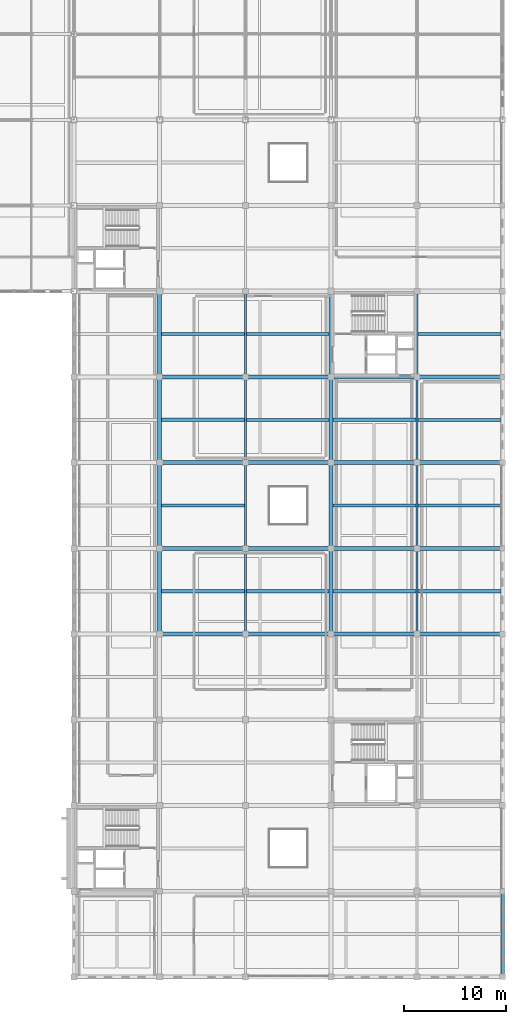
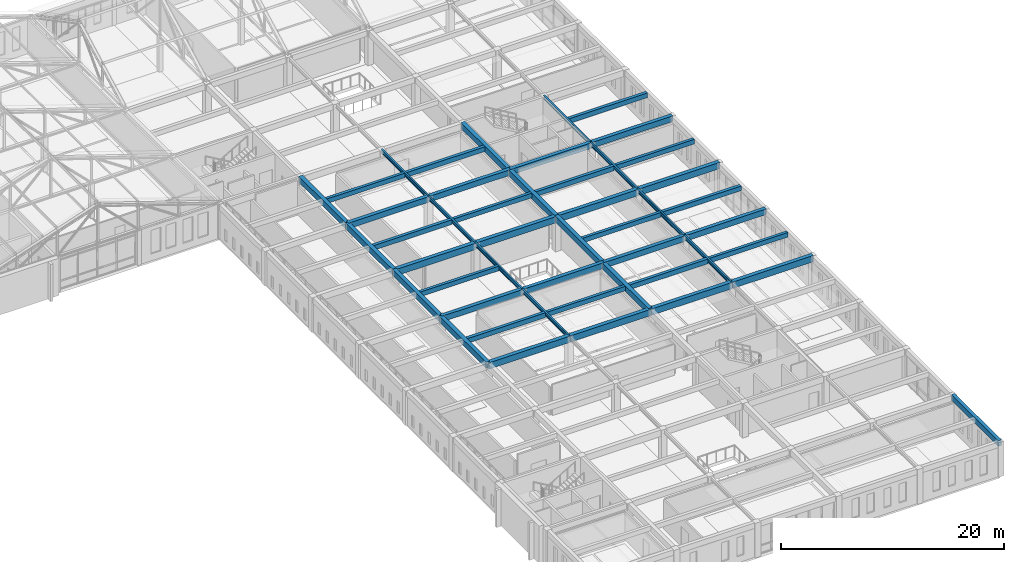
# One storey, part 7 of 56: 47 beams.
"""IFC4 building model written with IfcOpenShell, lengths in metres."""

import ifcopenshell
import ifcopenshell.guid

model = None  # the IFC model being written
_history = None  # IfcOwnerHistory: only IFC2X3 demands one
_inside = {}  # id of a spatial element -> (the spatial element, [elements in it])
_under = {}  # id of a project, library or spatial element -> (it, [spatial elements below it])
_declared = {}  # id of a project -> (the project, [libraries it declares])
_typed = {}  # id of a type object -> (the type object, [elements of that type])
_made_of = {}  # id of a material, layer set ... -> (it, [elements and type objects made of it])


def new_model(schema):
    """Start an empty IFC model of exactly this schema.

    Asked for "IFC4X3", IfcOpenShell would pick the latest addendum, in which some entities
    have other attributes; the version numbers below select the first issue.
    IFC2X3 requires an IfcOwnerHistory on every rooted entity: one is made here for all.
    """
    global model, _history
    if schema == "IFC4X3":
        model = ifcopenshell.file(schema_version=(4, 3, 0, 0))
    else:
        model = ifcopenshell.file(schema=schema)
    _inside.clear()
    _under.clear()
    _declared.clear()
    _typed.clear()
    _made_of.clear()
    _history = None
    if model.schema == "IFC2X3":
        org = make("IfcOrganization", Name="unknown")
        user = make(
            "IfcPersonAndOrganization",
            ThePerson=make("IfcPerson", FamilyName="unknown"),
            TheOrganization=org,
        )
        app = make(
            "IfcApplication",
            ApplicationDeveloper=org,
            Version="unknown",
            ApplicationFullName="unknown",
            ApplicationIdentifier="unknown",
        )
        _history = make(
            "IfcOwnerHistory",
            OwningUser=user,
            OwningApplication=app,
            ChangeAction="ADDED",
            CreationDate=0,
        )
    return model


def make(cls, **values):
    """One entity of the class cls with the attributes given. An attribute that is None is left unset."""
    return model.create_entity(
        cls, **{name: value for name, value in values.items() if value is not None}
    )


def rooted(cls, **values):
    """An entity with a GlobalId (a new one), such as an element, a storey or a relation."""
    return make(cls, GlobalId=ifcopenshell.guid.new(), OwnerHistory=_history, **values)


def si_unit(unit_type, name, prefix=None):
    """IfcSIUnit, for example si_unit("LENGTHUNIT", "METRE", prefix="MILLI")."""
    return make("IfcSIUnit", UnitType=unit_type, Prefix=prefix, Name=name)


def assignment(units):
    """IfcUnitAssignment: the units of a project."""
    return None if units is None else make("IfcUnitAssignment", Units=units)


def point(xyz):
    """IfcCartesianPoint."""
    return None if xyz is None else make("IfcCartesianPoint", Coordinates=xyz)


def direction(xyz):
    """IfcDirection."""
    return None if xyz is None else make("IfcDirection", DirectionRatios=xyz)


def frame(location, z_axis=None, x_axis=None):
    """IfcAxis2Placement3D, a coordinate frame: its origin and axes. An axis left out is left unset."""
    return make(
        "IfcAxis2Placement3D",
        Location=point(location),
        Axis=direction(z_axis),
        RefDirection=direction(x_axis),
    )


def frame_2d(location, x_axis=None):
    """IfcAxis2Placement2D, a coordinate frame in the plane: its origin and x axis."""
    return make(
        "IfcAxis2Placement2D", Location=point(location), RefDirection=direction(x_axis)
    )


def origin():
    """The frame at (0, 0, 0) with its axes left unset."""
    return frame((0.0, 0.0, 0.0))


def origin_2d():
    """The frame at (0, 0) in the plane with its x axis left unset."""
    return frame_2d((0.0, 0.0))


def place(relative_to, where):
    """IfcLocalPlacement: puts the frame where relative to a parent placement (None: the world)."""
    return make(
        "IfcLocalPlacement", PlacementRelTo=relative_to, RelativePlacement=where
    )


def context(
    kind, dimensions, precision=None, world=None, true_north=None, identifier=None
):
    """IfcGeometricRepresentationContext, for example the 3D "Model" context."""
    return make(
        "IfcGeometricRepresentationContext",
        ContextIdentifier=identifier,
        ContextType=kind,
        CoordinateSpaceDimension=dimensions,
        Precision=precision,
        WorldCoordinateSystem=world,
        TrueNorth=true_north,
    )


def subcontext(parent, identifier, kind, view, scale=None):
    """IfcGeometricRepresentationSubContext, for example "Body" below "Model"."""
    return make(
        "IfcGeometricRepresentationSubContext",
        ContextIdentifier=identifier,
        ContextType=kind,
        ParentContext=parent,
        TargetScale=scale,
        TargetView=view,
    )


def project(units=None, contexts=None):
    """IfcProject with its units and contexts."""
    return rooted(
        "IfcProject",
        Name="project",
        RepresentationContexts=contexts,
        UnitsInContext=assignment(units),
    )


def spatial(cls, under=None, at=None, **own):
    """A site, building, storey or space (cls), placed at a placement, below another one or the project."""
    s = rooted(cls, ObjectPlacement=at, **own)
    if under is not None:
        _under.setdefault(under.id(), (under, []))[1].append(s)
    return s


def profile(cls, at=None, kind="AREA", **sizes):
    """A parametric profile (cls). Its sizes go by their IFC names, for example OverallWidth=200.0."""
    return make(cls, ProfileType=kind, Position=at, **sizes)


def rectangle(**sizes):
    """IfcRectangleProfileDef."""
    return profile("IfcRectangleProfileDef", **sizes)


def i_section(**sizes):
    """IfcIShapeProfileDef."""
    return profile("IfcIShapeProfileDef", **sizes)


def extrude(swept, where, along, depth):
    """IfcExtrudedAreaSolid: the profile swept, set in the frame where, extruded along a direction by depth."""
    return make(
        "IfcExtrudedAreaSolid",
        SweptArea=swept,
        Position=where,
        ExtrudedDirection=direction(along),
        Depth=depth,
    )


def shape(context_of_items, identifier, shape_type, items):
    """IfcShapeRepresentation: the items that make up one representation, for example the "Body"."""
    return make(
        "IfcShapeRepresentation",
        ContextOfItems=context_of_items,
        RepresentationIdentifier=identifier,
        RepresentationType=shape_type,
        Items=items,
    )


def material(Name=None, Category=None):
    """IfcMaterial."""
    return make("IfcMaterial", Name=Name, Category=Category)


def material_profile(
    of_material, cross_section, Name=None, Category=None, Priority=None
):
    """IfcMaterialProfile: a cross section and its material."""
    return make(
        "IfcMaterialProfile",
        Name=Name,
        Material=of_material,
        Profile=cross_section,
        Priority=Priority,
        Category=Category,
    )


def profile_set(profiles, Name=None, composite=None):
    """IfcMaterialProfileSet."""
    return make(
        "IfcMaterialProfileSet",
        Name=Name,
        MaterialProfiles=profiles,
        CompositeProfile=composite,
    )


def made_of(thing, what):
    """Note that an element or type object is made of a material, layer set ...; save() writes the relation."""
    if what is not None:
        _made_of.setdefault(what.id(), (what, []))[1].append(thing)
    return thing


def type_object(cls, material=None, **own):
    """A type object (cls), such as IfcWallType, which elements share."""
    return made_of(rooted(cls, **own), material)


def element(
    cls,
    number,
    at=None,
    inside=None,
    cuts=None,
    type_object=None,
    material=None,
    context=None,
    identifier="Body",
    shape_type=None,
    held_by="IfcProductDefinitionShape",
    body=None,
    shapes=None,
    **own,
):
    """One element of the class cls, such as IfcWall. Its Tag is "e" and its number.

    at: its placement. inside: the storey or other place that contains it. cuts: it is an
    opening in that element (IfcRelVoidsElement). A single representation is given by context,
    identifier, shape_type and body (its items); several are given by shapes. held_by: the class
    of the entity that holds the representations. save() writes the other relations.
    """
    e = rooted(cls, Tag="e%d" % number, ObjectPlacement=at, **own)
    if body is not None:
        shapes = [shape(context, identifier, shape_type, body)]
    if shapes is not None:
        e.Representation = make(held_by, Representations=shapes)
    if inside is not None:
        _inside.setdefault(inside.id(), (inside, []))[1].append(e)
    if cuts is not None:
        rooted(
            "IfcRelVoidsElement", RelatingBuildingElement=cuts, RelatedOpeningElement=e
        )
    if type_object is not None:
        _typed.setdefault(type_object.id(), (type_object, []))[1].append(e)
    return made_of(e, material)


def aggregate(whole, parts):
    """IfcRelAggregates: a whole, such as a stair, and the parts it consists of."""
    return rooted("IfcRelAggregates", RelatingObject=whole, RelatedObjects=parts)


def save(model, path):
    """Write the relations noted so far, then the file.

    IfcRelAggregates (storeys below a building ...), IfcRelContainedInSpatialStructure (elements
    in a storey), IfcRelDefinesByType, IfcRelAssociatesMaterial and IfcRelDeclares: one each for
    every whole, place, type object, material and project.
    """
    for whole, parts in _under.values():
        aggregate(whole, parts)
    for where, things in _inside.values():
        rooted(
            "IfcRelContainedInSpatialStructure",
            RelatedElements=things,
            RelatingStructure=where,
        )
    for kind, things in _typed.values():
        rooted("IfcRelDefinesByType", RelatedObjects=things, RelatingType=kind)
    for what, things in _made_of.values():
        rooted("IfcRelAssociatesMaterial", RelatedObjects=things, RelatingMaterial=what)
    for by, libraries in _declared.values():
        rooted("IfcRelDeclares", RelatingContext=by, RelatedDefinitions=libraries)
    model.write(path)


model = new_model("IFC4")

# Units and contexts
model_context = context("Model", 3, precision=1e-05, world=origin(), true_north=direction((0.0, 1.0)))
body_context = subcontext(model_context, "Body", "Model", "MODEL_VIEW")
ifc_project = project(units=[si_unit("LENGTHUNIT", "METRE"), si_unit("AREAUNIT", "SQUARE_METRE"), si_unit("VOLUMEUNIT", "CUBIC_METRE"), si_unit("PLANEANGLEUNIT", "RADIAN"), si_unit("MASSUNIT", "GRAM", prefix="KILO")], contexts=[model_context])

# Site, building, storey
site_placement = place(None, origin())
site = spatial("IfcSite", under=ifc_project, at=site_placement, CompositionType="ELEMENT")
building_placement = place(site_placement, origin())
building = spatial("IfcBuilding", under=site, at=building_placement, Name="Kveldsbrygga Polytechnic", CompositionType="ELEMENT")
storey_placement = place(building_placement, frame((0.0, 0.0, 18.02001953125)))
storey = spatial("IfcBuildingStorey", under=building, at=storey_placement, Name="L04", CompositionType="ELEMENT", Elevation=18.02001953125)

# Beams
ifc_material_1 = material(Name="Concrete C35/45", Category="concrete")
ifc_material_profile_1 = material_profile(ifc_material_1, rectangle(XDim=0.3798828125, YDim=0.6201171875, at=origin_2d()), Name="RC 380x620")
ifc_profile_set_1 = profile_set([ifc_material_profile_1], Name="Concrete C35/45")
beam_type_1 = type_object("IfcBeamType", Name="BM-RC-380x620", PredefinedType="BEAM", material=ifc_profile_set_1)
beam_1_placement = place(storey_placement, frame((134.39990234375, 58.800048828125, 3.469970703125), z_axis=(1.0, 0.0, 0.0), x_axis=(0.0, 1.0, 0.0)))
element("IfcBeam", 1, at=beam_1_placement, inside=storey, type_object=beam_type_1, Name="Primary Beam BMX-L04-16to17-07", PredefinedType="BEAM", context=body_context, shape_type="SweptSolid", body=[
    extrude(rectangle(XDim=0.3798828125, YDim=0.6201171875, at=origin_2d()), origin(), (0.0, 0.0, 1.0), 8.400146484375),
])
beam_2_placement = place(storey_placement, frame((142.800048828125, 58.800048828125, 3.469970703125), z_axis=(1.0, 0.0, 0.0), x_axis=(0.0, 1.0, 0.0)))
element("IfcBeam", 2, at=beam_2_placement, inside=storey, type_object=beam_type_1, Name="Primary Beam BMX-L04-17to18-07", PredefinedType="BEAM", context=body_context, shape_type="SweptSolid", body=[
    extrude(rectangle(XDim=0.3798828125, YDim=0.6201171875, at=origin_2d()), origin(), (0.0, 0.0, 1.0), 8.39990234375),
])
beam_3_placement = place(storey_placement, frame((151.199951171875, 58.800048828125, 3.469970703125), z_axis=(1.0, 0.0, 0.0), x_axis=(0.0, 1.0, 0.0)))
element("IfcBeam", 3, at=beam_3_placement, inside=storey, type_object=beam_type_1, Name="Primary Beam BMX-L04-18to19-07", PredefinedType="BEAM", context=body_context, shape_type="SweptSolid", body=[
    extrude(rectangle(XDim=0.3798828125, YDim=0.6201171875, at=origin_2d()), origin(), (0.0, 0.0, 1.0), 8.400146484375),
])
beam_4_placement = place(storey_placement, frame((159.60009765625, 58.800048828125, 3.469970703125), z_axis=(1.0, 0.0, 0.0), x_axis=(0.0, 1.0, 0.0)))
element("IfcBeam", 4, at=beam_4_placement, inside=storey, type_object=beam_type_1, Name="Primary Beam BMX-L04-19to20-07", PredefinedType="BEAM", context=body_context, shape_type="SweptSolid", body=[
    extrude(rectangle(XDim=0.3798828125, YDim=0.6201171875, at=origin_2d()), origin(), (0.0, 0.0, 1.0), 8.39990234375),
])
beam_5_placement = place(storey_placement, frame((134.39990234375, 75.60009765625, 3.469970703125), z_axis=(1.0, 0.0, 0.0), x_axis=(0.0, 1.0, 0.0)))
element("IfcBeam", 5, at=beam_5_placement, inside=storey, type_object=beam_type_1, Name="Primary Beam BMX-L04-16to17-09", PredefinedType="BEAM", context=body_context, shape_type="SweptSolid", body=[
    extrude(rectangle(XDim=0.3798828125, YDim=0.6201171875, at=origin_2d()), origin(), (0.0, 0.0, 1.0), 8.400146484375),
])
beam_6_placement = place(storey_placement, frame((142.800048828125, 75.60009765625, 3.469970703125), z_axis=(1.0, 0.0, 0.0), x_axis=(0.0, 1.0, 0.0)))
element("IfcBeam", 6, at=beam_6_placement, inside=storey, type_object=beam_type_1, Name="Primary Beam BMX-L04-17to18-09", PredefinedType="BEAM", context=body_context, shape_type="SweptSolid", body=[
    extrude(rectangle(XDim=0.3798828125, YDim=0.6201171875, at=origin_2d()), origin(), (0.0, 0.0, 1.0), 8.39990234375),
])
beam_7_placement = place(storey_placement, frame((151.199951171875, 75.60009765625, 3.469970703125), z_axis=(1.0, 0.0, 0.0), x_axis=(0.0, 1.0, 0.0)))
element("IfcBeam", 7, at=beam_7_placement, inside=storey, type_object=beam_type_1, Name="Primary Beam BMX-L04-18to19-09", PredefinedType="BEAM", context=body_context, shape_type="SweptSolid", body=[
    extrude(rectangle(XDim=0.3798828125, YDim=0.6201171875, at=origin_2d()), origin(), (0.0, 0.0, 1.0), 8.400146484375),
])
beam_8_placement = place(storey_placement, frame((159.60009765625, 75.60009765625, 3.469970703125), z_axis=(1.0, 0.0, 0.0), x_axis=(0.0, 1.0, 0.0)))
element("IfcBeam", 8, at=beam_8_placement, inside=storey, type_object=beam_type_1, Name="Primary Beam BMX-L04-19to20-09", PredefinedType="BEAM", context=body_context, shape_type="SweptSolid", body=[
    extrude(rectangle(XDim=0.3798828125, YDim=0.6201171875, at=origin_2d()), origin(), (0.0, 0.0, 1.0), 8.39990234375),
])
ifc_material_profile_2 = material_profile(ifc_material_1, rectangle(XDim=0.39990234375, YDim=0.64990234375, at=origin_2d()), Name="RC 400x650")
ifc_profile_set_2 = profile_set([ifc_material_profile_2], Name="Concrete C35/45")
beam_type_2 = type_object("IfcBeamType", Name="BM-RC-400x650", PredefinedType="BEAM", material=ifc_profile_set_2)
beam_9_placement = place(storey_placement, frame((134.39990234375, 50.39990234375, 3.455078125), z_axis=(0.0, 1.0, 0.0), x_axis=(-1.0, 0.0, 0.0)))
element("IfcBeam", 9, at=beam_9_placement, inside=storey, type_object=beam_type_2, Name="Primary Beam BMY-L04-16-06to07", PredefinedType="BEAM", context=body_context, shape_type="SweptSolid", body=[
    extrude(rectangle(XDim=0.39990234375, YDim=0.64990234375, at=origin_2d()), origin(), (0.0, 0.0, 1.0), 8.400146484375),
])
beam_10_placement = place(storey_placement, frame((134.39990234375, 58.800048828125, 3.455078125), z_axis=(0.0, 1.0, 0.0), x_axis=(-1.0, 0.0, 0.0)))
element("IfcBeam", 10, at=beam_10_placement, inside=storey, type_object=beam_type_2, Name="Primary Beam BMY-L04-16-07to08", PredefinedType="BEAM", context=body_context, shape_type="SweptSolid", body=[
    extrude(rectangle(XDim=0.39990234375, YDim=0.64990234375, at=origin_2d()), origin(), (0.0, 0.0, 1.0), 8.39990234375),
])
beam_11_placement = place(storey_placement, frame((134.39990234375, 67.199951171875, 3.455078125), z_axis=(0.0, 1.0, 0.0), x_axis=(-1.0, 0.0, 0.0)))
element("IfcBeam", 11, at=beam_11_placement, inside=storey, type_object=beam_type_2, Name="Primary Beam BMY-L04-16-08to09", PredefinedType="BEAM", context=body_context, shape_type="SweptSolid", body=[
    extrude(rectangle(XDim=0.39990234375, YDim=0.64990234375, at=origin_2d()), origin(), (0.0, 0.0, 1.0), 8.400146484375),
])
beam_12_placement = place(storey_placement, frame((134.39990234375, 75.60009765625, 3.455078125), z_axis=(0.0, 1.0, 0.0), x_axis=(-1.0, 0.0, 0.0)))
element("IfcBeam", 12, at=beam_12_placement, inside=storey, type_object=beam_type_2, Name="Primary Beam BMY-L04-16-09to10", PredefinedType="BEAM", context=body_context, shape_type="SweptSolid", body=[
    extrude(rectangle(XDim=0.39990234375, YDim=0.64990234375, at=origin_2d()), origin(), (0.0, 0.0, 1.0), 8.39990234375),
])
beam_13_placement = place(storey_placement, frame((151.199951171875, 50.39990234375, 3.455078125), z_axis=(0.0, 1.0, 0.0), x_axis=(-1.0, 0.0, 0.0)))
element("IfcBeam", 13, at=beam_13_placement, inside=storey, type_object=beam_type_2, Name="Primary Beam BMY-L04-18-06to07", PredefinedType="BEAM", context=body_context, shape_type="SweptSolid", body=[
    extrude(rectangle(XDim=0.39990234375, YDim=0.64990234375, at=origin_2d()), origin(), (0.0, 0.0, 1.0), 8.400146484375),
])
beam_14_placement = place(storey_placement, frame((151.199951171875, 58.800048828125, 3.455078125), z_axis=(0.0, 1.0, 0.0), x_axis=(-1.0, 0.0, 0.0)))
element("IfcBeam", 14, at=beam_14_placement, inside=storey, type_object=beam_type_2, Name="Primary Beam BMY-L04-18-07to08", PredefinedType="BEAM", context=body_context, shape_type="SweptSolid", body=[
    extrude(rectangle(XDim=0.39990234375, YDim=0.64990234375, at=origin_2d()), origin(), (0.0, 0.0, 1.0), 8.39990234375),
])
beam_15_placement = place(storey_placement, frame((151.199951171875, 67.199951171875, 3.455078125), z_axis=(0.0, 1.0, 0.0), x_axis=(-1.0, 0.0, 0.0)))
element("IfcBeam", 15, at=beam_15_placement, inside=storey, type_object=beam_type_2, Name="Primary Beam BMY-L04-18-08to09", PredefinedType="BEAM", context=body_context, shape_type="SweptSolid", body=[
    extrude(rectangle(XDim=0.39990234375, YDim=0.64990234375, at=origin_2d()), origin(), (0.0, 0.0, 1.0), 8.400146484375),
])
beam_16_placement = place(storey_placement, frame((151.199951171875, 75.60009765625, 3.455078125), z_axis=(0.0, 1.0, 0.0), x_axis=(-1.0, 0.0, 0.0)))
element("IfcBeam", 16, at=beam_16_placement, inside=storey, type_object=beam_type_2, Name="Primary Beam BMY-L04-18-09to10", PredefinedType="BEAM", context=body_context, shape_type="SweptSolid", body=[
    extrude(rectangle(XDim=0.39990234375, YDim=0.64990234375, at=origin_2d()), origin(), (0.0, 0.0, 1.0), 8.39990234375),
])
ifc_material_profile_3 = material_profile(ifc_material_1, rectangle(XDim=0.39990234375, YDim=0.699951171875, at=origin_2d()), Name="RC 400x700")
ifc_profile_set_3 = profile_set([ifc_material_profile_3], Name="Concrete C35/45")
beam_type_3 = type_object("IfcBeamType", Name="BM-RC-400x700", PredefinedType="BEAM", material=ifc_profile_set_3)
beam_17_placement = place(storey_placement, frame((134.39990234375, 50.39990234375, 3.429931640625), z_axis=(1.0, 0.0, 0.0), x_axis=(0.0, 1.0, 0.0)))
element("IfcBeam", 17, at=beam_17_placement, inside=storey, type_object=beam_type_3, Name="Primary Beam BMX-L04-16to17-06", PredefinedType="BEAM", context=body_context, shape_type="SweptSolid", body=[
    extrude(rectangle(XDim=0.39990234375, YDim=0.699951171875, at=origin_2d()), origin(), (0.0, 0.0, 1.0), 8.400146484375),
])
beam_18_placement = place(storey_placement, frame((142.800048828125, 50.39990234375, 3.429931640625), z_axis=(1.0, 0.0, 0.0), x_axis=(0.0, 1.0, 0.0)))
element("IfcBeam", 18, at=beam_18_placement, inside=storey, type_object=beam_type_3, Name="Primary Beam BMX-L04-17to18-06", PredefinedType="BEAM", context=body_context, shape_type="SweptSolid", body=[
    extrude(rectangle(XDim=0.39990234375, YDim=0.699951171875, at=origin_2d()), origin(), (0.0, 0.0, 1.0), 8.39990234375),
])
beam_19_placement = place(storey_placement, frame((151.199951171875, 50.39990234375, 3.429931640625), z_axis=(1.0, 0.0, 0.0), x_axis=(0.0, 1.0, 0.0)))
element("IfcBeam", 19, at=beam_19_placement, inside=storey, type_object=beam_type_3, Name="Primary Beam BMX-L04-18to19-06", PredefinedType="BEAM", context=body_context, shape_type="SweptSolid", body=[
    extrude(rectangle(XDim=0.39990234375, YDim=0.699951171875, at=origin_2d()), origin(), (0.0, 0.0, 1.0), 8.400146484375),
])
beam_20_placement = place(storey_placement, frame((159.60009765625, 50.39990234375, 3.429931640625), z_axis=(1.0, 0.0, 0.0), x_axis=(0.0, 1.0, 0.0)))
element("IfcBeam", 20, at=beam_20_placement, inside=storey, type_object=beam_type_3, Name="Primary Beam BMX-L04-19to20-06", PredefinedType="BEAM", context=body_context, shape_type="SweptSolid", body=[
    extrude(rectangle(XDim=0.39990234375, YDim=0.699951171875, at=origin_2d()), origin(), (0.0, 0.0, 1.0), 8.39990234375),
])
beam_21_placement = place(storey_placement, frame((134.39990234375, 67.199951171875, 3.429931640625), z_axis=(1.0, 0.0, 0.0), x_axis=(0.0, 1.0, 0.0)))
element("IfcBeam", 21, at=beam_21_placement, inside=storey, type_object=beam_type_3, Name="Primary Beam BMX-L04-16to17-08", PredefinedType="BEAM", context=body_context, shape_type="SweptSolid", body=[
    extrude(rectangle(XDim=0.39990234375, YDim=0.699951171875, at=origin_2d()), origin(), (0.0, 0.0, 1.0), 8.400146484375),
])
beam_22_placement = place(storey_placement, frame((142.800048828125, 67.199951171875, 3.429931640625), z_axis=(1.0, 0.0, 0.0), x_axis=(0.0, 1.0, 0.0)))
element("IfcBeam", 22, at=beam_22_placement, inside=storey, type_object=beam_type_3, Name="Primary Beam BMX-L04-17to18-08", PredefinedType="BEAM", context=body_context, shape_type="SweptSolid", body=[
    extrude(rectangle(XDim=0.39990234375, YDim=0.699951171875, at=origin_2d()), origin(), (0.0, 0.0, 1.0), 8.39990234375),
])
beam_23_placement = place(storey_placement, frame((151.199951171875, 67.199951171875, 3.429931640625), z_axis=(1.0, 0.0, 0.0), x_axis=(0.0, 1.0, 0.0)))
element("IfcBeam", 23, at=beam_23_placement, inside=storey, type_object=beam_type_3, Name="Primary Beam BMX-L04-18to19-08", PredefinedType="BEAM", context=body_context, shape_type="SweptSolid", body=[
    extrude(rectangle(XDim=0.39990234375, YDim=0.699951171875, at=origin_2d()), origin(), (0.0, 0.0, 1.0), 8.400146484375),
])
beam_24_placement = place(storey_placement, frame((159.60009765625, 67.199951171875, 3.429931640625), z_axis=(1.0, 0.0, 0.0), x_axis=(0.0, 1.0, 0.0)))
element("IfcBeam", 24, at=beam_24_placement, inside=storey, type_object=beam_type_3, Name="Primary Beam BMX-L04-19to20-08", PredefinedType="BEAM", context=body_context, shape_type="SweptSolid", body=[
    extrude(rectangle(XDim=0.39990234375, YDim=0.699951171875, at=origin_2d()), origin(), (0.0, 0.0, 1.0), 8.39990234375),
])
ifc_material_profile_4 = material_profile(ifc_material_1, rectangle(XDim=0.35009765625, YDim=0.60009765625, at=origin_2d()), Name="RC 350x600")
ifc_profile_set_4 = profile_set([ifc_material_profile_4], Name="Concrete C35/45")
beam_type_4 = type_object("IfcBeamType", Name="BM-SPANDREL-600", PredefinedType="T_BEAM", material=ifc_profile_set_4)
beam_25_placement = place(storey_placement, frame((168.0, 16.800048828125, 3.47998046875), z_axis=(0.0, 1.0, 0.0), x_axis=(-1.0, 0.0, 0.0)))
element("IfcBeam", 25, at=beam_25_placement, inside=storey, type_object=beam_type_4, Name="Primary Beam BMY-L04-20-02to03", PredefinedType="T_BEAM", context=body_context, shape_type="SweptSolid", body=[
    extrude(rectangle(XDim=0.35009765625, YDim=0.60009765625, at=origin_2d()), origin(), (0.0, 0.0, 1.0), 8.39990234375),
])
ifc_material_2 = material(Name="Steel S355", Category="steel")
ifc_material_profile_5 = material_profile(ifc_material_2, i_section(OverallWidth=0.179931640625, OverallDepth=0.39990234375, WebThickness=0.008544921875, FlangeThickness=0.013427734375, FilletRadius=0.02099609375, at=origin_2d()), Name="IPE 400")
ifc_profile_set_5 = profile_set([ifc_material_profile_5], Name="Steel S355")
beam_type_5 = type_object("IfcBeamType", Name="BM-STL-IPE400", PredefinedType="BEAM", material=ifc_profile_set_5)
beam_26_placement = place(storey_placement, frame((142.800048828125, 50.39990234375, 3.580078125), z_axis=(0.0, 1.0, 0.0), x_axis=(-1.0, 0.0, 0.0)))
element("IfcBeam", 26, at=beam_26_placement, inside=storey, type_object=beam_type_5, Name="Primary Beam BMY-L04-17-06to07", PredefinedType="BEAM", context=body_context, shape_type="SweptSolid", body=[
    extrude(i_section(OverallWidth=0.179931640625, OverallDepth=0.39990234375, WebThickness=0.008544921875, FlangeThickness=0.013427734375, FilletRadius=0.02099609375, at=origin_2d()), origin(), (0.0, 0.0, 1.0), 8.400146484375),
])
beam_27_placement = place(storey_placement, frame((142.800048828125, 58.800048828125, 3.580078125), z_axis=(0.0, 1.0, 0.0), x_axis=(-1.0, 0.0, 0.0)))
element("IfcBeam", 27, at=beam_27_placement, inside=storey, type_object=beam_type_5, Name="Primary Beam BMY-L04-17-07to08", PredefinedType="BEAM", context=body_context, shape_type="SweptSolid", body=[
    extrude(i_section(OverallWidth=0.179931640625, OverallDepth=0.39990234375, WebThickness=0.008544921875, FlangeThickness=0.013427734375, FilletRadius=0.02099609375, at=origin_2d()), origin(), (0.0, 0.0, 1.0), 8.39990234375),
])
beam_28_placement = place(storey_placement, frame((142.800048828125, 67.199951171875, 3.580078125), z_axis=(0.0, 1.0, 0.0), x_axis=(-1.0, 0.0, 0.0)))
element("IfcBeam", 28, at=beam_28_placement, inside=storey, type_object=beam_type_5, Name="Primary Beam BMY-L04-17-08to09", PredefinedType="BEAM", context=body_context, shape_type="SweptSolid", body=[
    extrude(i_section(OverallWidth=0.179931640625, OverallDepth=0.39990234375, WebThickness=0.008544921875, FlangeThickness=0.013427734375, FilletRadius=0.02099609375, at=origin_2d()), origin(), (0.0, 0.0, 1.0), 8.400146484375),
])
beam_29_placement = place(storey_placement, frame((142.800048828125, 75.60009765625, 3.580078125), z_axis=(0.0, 1.0, 0.0), x_axis=(-1.0, 0.0, 0.0)))
element("IfcBeam", 29, at=beam_29_placement, inside=storey, type_object=beam_type_5, Name="Primary Beam BMY-L04-17-09to10", PredefinedType="BEAM", context=body_context, shape_type="SweptSolid", body=[
    extrude(i_section(OverallWidth=0.179931640625, OverallDepth=0.39990234375, WebThickness=0.008544921875, FlangeThickness=0.013427734375, FilletRadius=0.02099609375, at=origin_2d()), origin(), (0.0, 0.0, 1.0), 8.39990234375),
])
beam_30_placement = place(storey_placement, frame((159.60009765625, 50.39990234375, 3.580078125), z_axis=(0.0, 1.0, 0.0), x_axis=(-1.0, 0.0, 0.0)))
element("IfcBeam", 30, at=beam_30_placement, inside=storey, type_object=beam_type_5, Name="Primary Beam BMY-L04-19-06to07", PredefinedType="BEAM", context=body_context, shape_type="SweptSolid", body=[
    extrude(i_section(OverallWidth=0.179931640625, OverallDepth=0.39990234375, WebThickness=0.008544921875, FlangeThickness=0.013427734375, FilletRadius=0.02099609375, at=origin_2d()), origin(), (0.0, 0.0, 1.0), 8.400146484375),
])
beam_31_placement = place(storey_placement, frame((159.60009765625, 58.800048828125, 3.580078125), z_axis=(0.0, 1.0, 0.0), x_axis=(-1.0, 0.0, 0.0)))
element("IfcBeam", 31, at=beam_31_placement, inside=storey, type_object=beam_type_5, Name="Primary Beam BMY-L04-19-07to08", PredefinedType="BEAM", context=body_context, shape_type="SweptSolid", body=[
    extrude(i_section(OverallWidth=0.179931640625, OverallDepth=0.39990234375, WebThickness=0.008544921875, FlangeThickness=0.013427734375, FilletRadius=0.02099609375, at=origin_2d()), origin(), (0.0, 0.0, 1.0), 8.39990234375),
])
beam_32_placement = place(storey_placement, frame((159.60009765625, 67.199951171875, 3.580078125), z_axis=(0.0, 1.0, 0.0), x_axis=(-1.0, 0.0, 0.0)))
element("IfcBeam", 32, at=beam_32_placement, inside=storey, type_object=beam_type_5, Name="Primary Beam BMY-L04-19-08to09", PredefinedType="BEAM", context=body_context, shape_type="SweptSolid", body=[
    extrude(i_section(OverallWidth=0.179931640625, OverallDepth=0.39990234375, WebThickness=0.008544921875, FlangeThickness=0.013427734375, FilletRadius=0.02099609375, at=origin_2d()), origin(), (0.0, 0.0, 1.0), 8.400146484375),
])
beam_33_placement = place(storey_placement, frame((159.60009765625, 75.60009765625, 3.580078125), z_axis=(0.0, 1.0, 0.0), x_axis=(-1.0, 0.0, 0.0)))
element("IfcBeam", 33, at=beam_33_placement, inside=storey, type_object=beam_type_5, Name="Primary Beam BMY-L04-19-09to10", PredefinedType="BEAM", context=body_context, shape_type="SweptSolid", body=[
    extrude(i_section(OverallWidth=0.179931640625, OverallDepth=0.39990234375, WebThickness=0.008544921875, FlangeThickness=0.013427734375, FilletRadius=0.02099609375, at=origin_2d()), origin(), (0.0, 0.0, 1.0), 8.39990234375),
])
ifc_material_profile_6 = material_profile(ifc_material_1, rectangle(XDim=0.300048828125, YDim=0.5, at=origin_2d()), Name="RC 300x500")
ifc_profile_set_6 = profile_set([ifc_material_profile_6], Name="Concrete C35/45")
beam_type_6 = type_object("IfcBeamType", Name="JST-RC-300x500", PredefinedType="JOIST", material=ifc_profile_set_6)
for number, where, z_axis, x_axis, name in (
    (34, (134.60009765625, 63.0, 3.530029296875), (1.0, 0.0, 0.0), (0.0, 1.0, 0.0), "Secondary Joist JST-L04-16-07"),
    (35, (134.60009765625, 79.800048828125, 3.530029296875), (1.0, 0.0, 0.0), (0.0, 1.0, 0.0), "Secondary Joist JST-L04-16-09"),
):
    element("IfcBeam", number, at=place(storey_placement, frame(where, z_axis=z_axis, x_axis=x_axis)), inside=storey, type_object=beam_type_6, Name=name, PredefinedType="JOIST", context=body_context, shape_type="SweptSolid", body=[
        extrude(rectangle(XDim=0.300048828125, YDim=0.5, at=origin_2d()), origin(), (0.0, 0.0, 1.0), 8.10986328125),
    ])
for number, where, z_axis, x_axis, name in (
    (36, (142.889892578125, 54.60009765625, 3.530029296875), (1.0, 0.0, 0.0), (0.0, 1.0, 0.0), "Secondary Joist JST-L04-17-06"),
    (37, (142.889892578125, 71.39990234375, 3.530029296875), (1.0, 0.0, 0.0), (0.0, 1.0, 0.0), "Secondary Joist JST-L04-17-08"),
    (38, (151.39990234375, 63.0, 3.530029296875), (1.0, 0.0, 0.0), (0.0, 1.0, 0.0), "Secondary Joist JST-L04-18-07"),
):
    element("IfcBeam", number, at=place(storey_placement, frame(where, z_axis=z_axis, x_axis=x_axis)), inside=storey, type_object=beam_type_6, Name=name, PredefinedType="JOIST", context=body_context, shape_type="SweptSolid", body=[
        extrude(rectangle(XDim=0.300048828125, YDim=0.5, at=origin_2d()), origin(), (0.0, 0.0, 1.0), 8.110107421875),
    ])
for number, where, z_axis, x_axis, name in (
    (39, (159.68994140625, 54.60009765625, 3.530029296875), (1.0, 0.0, 0.0), (0.0, 1.0, 0.0), "Secondary Joist JST-L04-19-06"),
    (40, (159.68994140625, 71.39990234375, 3.530029296875), (1.0, 0.0, 0.0), (0.0, 1.0, 0.0), "Secondary Joist JST-L04-19-08"),
):
    element("IfcBeam", number, at=place(storey_placement, frame(where, z_axis=z_axis, x_axis=x_axis)), inside=storey, type_object=beam_type_6, Name=name, PredefinedType="JOIST", context=body_context, shape_type="SweptSolid", body=[
        extrude(rectangle(XDim=0.300048828125, YDim=0.5, at=origin_2d()), origin(), (0.0, 0.0, 1.0), 8.135009765625),
    ])
ifc_material_profile_7 = material_profile(ifc_material_1, rectangle(XDim=0.320068359375, YDim=0.52001953125, at=origin_2d()), Name="RC 320x520")
ifc_profile_set_7 = profile_set([ifc_material_profile_7], Name="Concrete C35/45")
beam_type_7 = type_object("IfcBeamType", Name="JST-RC-320x520", PredefinedType="JOIST", material=ifc_profile_set_7)
for number, where, z_axis, x_axis, name in (
    (41, (134.60009765625, 54.60009765625, 3.52001953125), (1.0, 0.0, 0.0), (0.0, 1.0, 0.0), "Secondary Joist JST-L04-16-06"),
    (42, (134.60009765625, 71.39990234375, 3.52001953125), (1.0, 0.0, 0.0), (0.0, 1.0, 0.0), "Secondary Joist JST-L04-16-08"),
):
    element("IfcBeam", number, at=place(storey_placement, frame(where, z_axis=z_axis, x_axis=x_axis)), inside=storey, type_object=beam_type_7, Name=name, PredefinedType="JOIST", context=body_context, shape_type="SweptSolid", body=[
        extrude(rectangle(XDim=0.320068359375, YDim=0.52001953125, at=origin_2d()), origin(), (0.0, 0.0, 1.0), 8.10986328125),
    ])
for number, where, z_axis, x_axis, name in (
    (43, (142.889892578125, 79.800048828125, 3.52001953125), (1.0, 0.0, 0.0), (0.0, 1.0, 0.0), "Secondary Joist JST-L04-17-09"),
    (44, (151.39990234375, 54.60009765625, 3.52001953125), (1.0, 0.0, 0.0), (0.0, 1.0, 0.0), "Secondary Joist JST-L04-18-06"),
    (45, (151.39990234375, 71.39990234375, 3.52001953125), (1.0, 0.0, 0.0), (0.0, 1.0, 0.0), "Secondary Joist JST-L04-18-08"),
):
    element("IfcBeam", number, at=place(storey_placement, frame(where, z_axis=z_axis, x_axis=x_axis)), inside=storey, type_object=beam_type_7, Name=name, PredefinedType="JOIST", context=body_context, shape_type="SweptSolid", body=[
        extrude(rectangle(XDim=0.320068359375, YDim=0.52001953125, at=origin_2d()), origin(), (0.0, 0.0, 1.0), 8.110107421875),
    ])
for number, where, z_axis, x_axis, name in (
    (46, (159.68994140625, 63.0, 3.52001953125), (1.0, 0.0, 0.0), (0.0, 1.0, 0.0), "Secondary Joist JST-L04-19-07"),
    (47, (159.68994140625, 79.800048828125, 3.52001953125), (1.0, 0.0, 0.0), (0.0, 1.0, 0.0), "Secondary Joist JST-L04-19-09"),
):
    element("IfcBeam", number, at=place(storey_placement, frame(where, z_axis=z_axis, x_axis=x_axis)), inside=storey, type_object=beam_type_7, Name=name, PredefinedType="JOIST", context=body_context, shape_type="SweptSolid", body=[
        extrude(rectangle(XDim=0.320068359375, YDim=0.52001953125, at=origin_2d()), origin(), (0.0, 0.0, 1.0), 8.135009765625),
    ])

save(model, "model.ifc")
